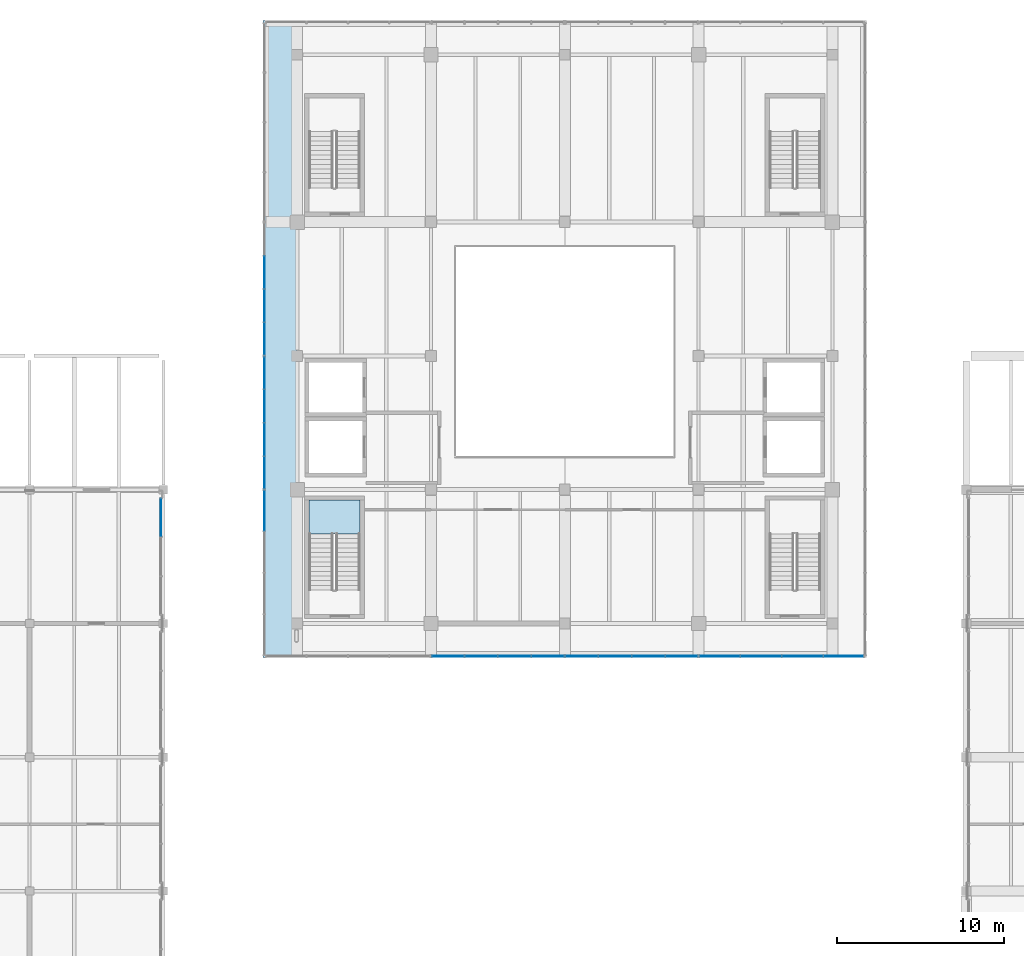
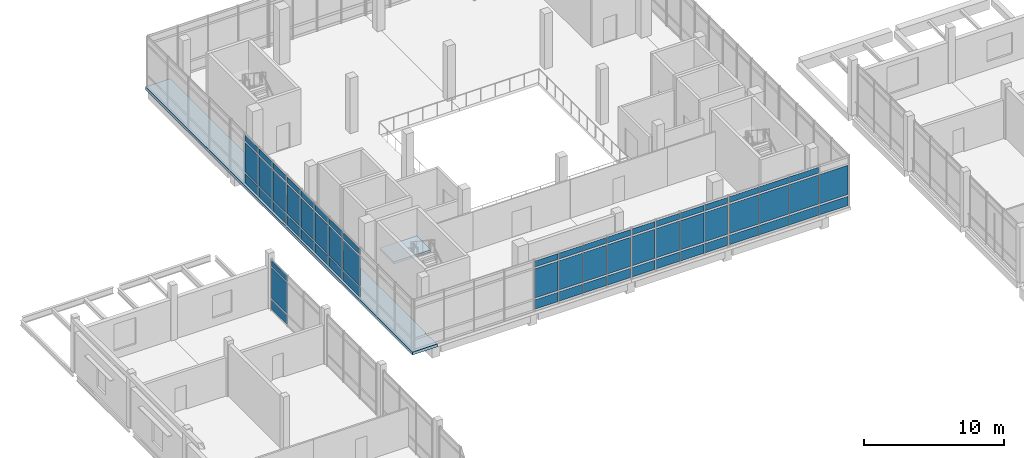
# One storey, part 16 of 28: 62 plates, 2 slabs, 8 elements without a shape of their own.
"""IFC4 building model written with IfcOpenShell, lengths in metres."""

from ifc_helpers import new_model, si_unit, direction, frame, origin, origin_2d, place, context, subcontext, project, spatial, polyline, rectangle, outline, extrude, material, layer, layer_set, type_object, element, aggregate, save


model = new_model("IFC4")

# Units and contexts
model_context = context("Model", 3, precision=1e-05, world=origin(), true_north=direction((0.0, 1.0)))
body_context = subcontext(model_context, "Body", "Model", "MODEL_VIEW")
ifc_project = project(units=[si_unit("LENGTHUNIT", "METRE"), si_unit("AREAUNIT", "SQUARE_METRE"), si_unit("VOLUMEUNIT", "CUBIC_METRE"), si_unit("PLANEANGLEUNIT", "RADIAN"), si_unit("MASSUNIT", "GRAM", prefix="KILO")], contexts=[model_context])

# Site, building, storey
site_placement = place(None, origin())
site = spatial("IfcSite", under=ifc_project, at=site_placement, CompositionType="ELEMENT")
building_placement = place(site_placement, origin())
building = spatial("IfcBuilding", under=site, at=building_placement, Name="Pecanmere Concourse Central Library", CompositionType="ELEMENT")
storey_placement = place(building_placement, frame((0.0, 0.0, 20.10009765625)))
storey = spatial("IfcBuildingStorey", under=building, at=storey_placement, Name="L05", CompositionType="ELEMENT", Elevation=20.10009765625)

# Curtain wall, plates
ifc_material_1 = material(Name="Anodized bronze aluminium alloy 6063-T6", Category="aluminium")
curtain_wall_type_1 = type_object("IfcCurtainWallType", Name="CW_PLUMB_BANDED", PredefinedType="USERDEFINED", material=ifc_material_1)
curtain_wall_1_placement = place(storey_placement, origin())
curtain_wall_1 = element("IfcCurtainWall", 1, at=curtain_wall_1_placement, inside=storey, type_object=curtain_wall_type_1, Name="Unitised Curtain Wall CW-02 L05-059", ObjectType="UNITISED CURTAIN WALL", PredefinedType="USERDEFINED")
ifc_material_2 = material(Name="White ceramic-fritted insulated spandrel glazing", Category="glass")
ifc_layer_1 = layer(ifc_material_2, 0.053955078125, Name="CWP_SPN_54")
ifc_layer_set_1 = layer_set([ifc_layer_1], Name="White ceramic-fritted insulated spandrel glazing")
plate_type_1 = type_object("IfcPlateType", Name="CWP_SPN_54", PredefinedType="CURTAIN_PANEL", material=ifc_layer_set_1)
plate_1_placement = place(storey_placement, frame((81.02001953125, 88.03857421875, 0.159912109375), z_axis=(0.0, 0.0, 1.0), x_axis=(1.0, 0.0, 0.0)))
plate_1 = element("IfcPlate", 2, at=plate_1_placement, type_object=plate_type_1, Name="CW-02 Spandrel Panel 1.1", PredefinedType="CURTAIN_PANEL", context=body_context, shape_type="SweptSolid", body=[
    extrude(rectangle(XDim=1.89990234375, YDim=0.035888671875, at=origin_2d()), origin(), (0.0, 0.0, 1.0), 0.81005859375),
])
plate_2_placement = place(storey_placement, frame((83.001220703125, 88.03857421875, 0.159912109375), z_axis=(0.0, 0.0, 1.0), x_axis=(1.0, 0.0, 0.0)))
plate_2 = element("IfcPlate", 3, at=plate_2_placement, type_object=plate_type_1, Name="CW-02 Spandrel Panel 2.1", PredefinedType="CURTAIN_PANEL", context=body_context, shape_type="SweptSolid", body=[
    extrude(rectangle(XDim=1.9326171875, YDim=0.035888671875, at=origin_2d()), origin(), (0.0, 0.0, 1.0), 0.81005859375),
])
plate_3_placement = place(storey_placement, frame((84.998779296875, 88.03857421875, 0.159912109375), z_axis=(0.0, 0.0, 1.0), x_axis=(1.0, 0.0, 0.0)))
plate_3 = element("IfcPlate", 4, at=plate_3_placement, type_object=plate_type_1, Name="CW-02 Spandrel Panel 3.1", PredefinedType="CURTAIN_PANEL", context=body_context, shape_type="SweptSolid", body=[
    extrude(rectangle(XDim=1.9326171875, YDim=0.035888671875, at=origin_2d()), origin(), (0.0, 0.0, 1.0), 0.81005859375),
])
plate_4_placement = place(storey_placement, frame((86.97998046875, 88.03857421875, 0.159912109375), z_axis=(0.0, 0.0, 1.0), x_axis=(1.0, 0.0, 0.0)))
plate_4 = element("IfcPlate", 5, at=plate_4_placement, type_object=plate_type_1, Name="CW-02 Spandrel Panel 4.1", PredefinedType="CURTAIN_PANEL", context=body_context, shape_type="SweptSolid", body=[
    extrude(rectangle(XDim=1.89990234375, YDim=0.035888671875, at=origin_2d()), origin(), (0.0, 0.0, 1.0), 0.81005859375),
])

curtain_wall_2_placement = place(storey_placement, origin())
curtain_wall_2 = element("IfcCurtainWall", 6, at=curtain_wall_2_placement, inside=storey, type_object=curtain_wall_type_1, Name="Unitised Curtain Wall CW-02 L05-060", ObjectType="UNITISED CURTAIN WALL", PredefinedType="USERDEFINED")
plate_5_placement = place(storey_placement, frame((89.02001953125, 88.03857421875, 0.159912109375), z_axis=(0.0, 0.0, 1.0), x_axis=(1.0, 0.0, 0.0)))
plate_5 = element("IfcPlate", 7, at=plate_5_placement, type_object=plate_type_1, Name="CW-02 Spandrel Panel 1.1", PredefinedType="CURTAIN_PANEL", context=body_context, shape_type="SweptSolid", body=[
    extrude(rectangle(XDim=1.89990234375, YDim=0.035888671875, at=origin_2d()), origin(), (0.0, 0.0, 1.0), 0.81005859375),
])
plate_6_placement = place(storey_placement, frame((91.001220703125, 88.03857421875, 0.159912109375), z_axis=(0.0, 0.0, 1.0), x_axis=(1.0, 0.0, 0.0)))
plate_6 = element("IfcPlate", 8, at=plate_6_placement, type_object=plate_type_1, Name="CW-02 Spandrel Panel 2.1", PredefinedType="CURTAIN_PANEL", context=body_context, shape_type="SweptSolid", body=[
    extrude(rectangle(XDim=1.9326171875, YDim=0.035888671875, at=origin_2d()), origin(), (0.0, 0.0, 1.0), 0.81005859375),
])
plate_7_placement = place(storey_placement, frame((92.998779296875, 88.03857421875, 0.159912109375), z_axis=(0.0, 0.0, 1.0), x_axis=(1.0, 0.0, 0.0)))
plate_7 = element("IfcPlate", 9, at=plate_7_placement, type_object=plate_type_1, Name="CW-02 Spandrel Panel 3.1", PredefinedType="CURTAIN_PANEL", context=body_context, shape_type="SweptSolid", body=[
    extrude(rectangle(XDim=1.9326171875, YDim=0.035888671875, at=origin_2d()), origin(), (0.0, 0.0, 1.0), 0.81005859375),
])
plate_8_placement = place(storey_placement, frame((94.97998046875, 88.03857421875, 0.159912109375), z_axis=(0.0, 0.0, 1.0), x_axis=(1.0, 0.0, 0.0)))
plate_8 = element("IfcPlate", 10, at=plate_8_placement, type_object=plate_type_1, Name="CW-02 Spandrel Panel 4.1", PredefinedType="CURTAIN_PANEL", context=body_context, shape_type="SweptSolid", body=[
    extrude(rectangle(XDim=1.89990234375, YDim=0.035888671875, at=origin_2d()), origin(), (0.0, 0.0, 1.0), 0.81005859375),
])

curtain_wall_3_placement = place(storey_placement, origin())
curtain_wall_3 = element("IfcCurtainWall", 11, at=curtain_wall_3_placement, inside=storey, type_object=curtain_wall_type_1, Name="Unitised Curtain Wall CW-02 L05-061", ObjectType="UNITISED CURTAIN WALL", PredefinedType="USERDEFINED")
plate_9_placement = place(storey_placement, frame((97.2607421875, 88.03857421875, 0.159912109375), z_axis=(0.0, 0.0, 1.0), x_axis=(1.0, 0.0, 0.0)))
plate_9 = element("IfcPlate", 12, at=plate_9_placement, type_object=plate_type_1, Name="CW-02 Spandrel Panel 1.1", PredefinedType="CURTAIN_PANEL", context=body_context, shape_type="SweptSolid", body=[
    extrude(rectangle(XDim=2.381591796875, YDim=0.035888671875, at=origin_2d()), origin(), (0.0, 0.0, 1.0), 0.81005859375),
])
plate_10_placement = place(storey_placement, frame((99.7236328125, 88.03857421875, 0.159912109375), z_axis=(0.0, 0.0, 1.0), x_axis=(1.0, 0.0, 0.0)))
plate_10 = element("IfcPlate", 13, at=plate_10_placement, type_object=plate_type_1, Name="CW-02 Spandrel Panel 2.1", PredefinedType="CURTAIN_PANEL", context=body_context, shape_type="SweptSolid", body=[
    extrude(rectangle(XDim=2.4140625, YDim=0.035888671875, at=origin_2d()), origin(), (0.0, 0.0, 1.0), 0.81005859375),
])
plate_11_placement = place(storey_placement, frame((102.202880859375, 88.03857421875, 0.159912109375), z_axis=(0.0, 0.0, 1.0), x_axis=(1.0, 0.0, 0.0)))
plate_11 = element("IfcPlate", 14, at=plate_11_placement, type_object=plate_type_1, Name="CW-02 Spandrel Panel 3.1", PredefinedType="CURTAIN_PANEL", context=body_context, shape_type="SweptSolid", body=[
    extrude(rectangle(XDim=2.4140625, YDim=0.035888671875, at=origin_2d()), origin(), (0.0, 0.0, 1.0), 0.81005859375),
])
plate_12_placement = place(storey_placement, frame((104.665771484375, 88.03857421875, 0.159912109375), z_axis=(0.0, 0.0, 1.0), x_axis=(1.0, 0.0, 0.0)))
plate_12 = element("IfcPlate", 15, at=plate_12_placement, type_object=plate_type_1, Name="CW-02 Spandrel Panel 4.1", PredefinedType="CURTAIN_PANEL", context=body_context, shape_type="SweptSolid", body=[
    extrude(rectangle(XDim=2.381591796875, YDim=0.035888671875, at=origin_2d()), origin(), (0.0, 0.0, 1.0), 0.81005859375),
])

curtain_wall_4_placement = place(storey_placement, origin())
curtain_wall_4 = element("IfcCurtainWall", 16, at=curtain_wall_4_placement, inside=storey, type_object=curtain_wall_type_1, Name="Unitised Curtain Wall CW-02 L05-067", ObjectType="UNITISED CURTAIN WALL", PredefinedType="USERDEFINED")
plate_13_placement = place(storey_placement, frame((70.03857421875, 110.998779296875, 0.159912109375), z_axis=(0.0, 0.0, 1.0), x_axis=(0.0, -1.0, 0.0)))
plate_13 = element("IfcPlate", 17, at=plate_13_placement, type_object=plate_type_1, Name="CW-02 Spandrel Panel 2.1", PredefinedType="CURTAIN_PANEL", context=body_context, shape_type="SweptSolid", body=[
    extrude(rectangle(XDim=1.9326171875, YDim=0.035888671875, at=origin_2d()), origin(), (0.0, 0.0, 1.0), 0.81005859375),
])
plate_14_placement = place(storey_placement, frame((70.03857421875, 109.001220703125, 0.159912109375), z_axis=(0.0, 0.0, 1.0), x_axis=(0.0, -1.0, 0.0)))
plate_14 = element("IfcPlate", 18, at=plate_14_placement, type_object=plate_type_1, Name="CW-02 Spandrel Panel 3.1", PredefinedType="CURTAIN_PANEL", context=body_context, shape_type="SweptSolid", body=[
    extrude(rectangle(XDim=1.9326171875, YDim=0.035888671875, at=origin_2d()), origin(), (0.0, 0.0, 1.0), 0.81005859375),
])
plate_15_placement = place(storey_placement, frame((70.03857421875, 107.02001953125, 0.159912109375), z_axis=(0.0, 0.0, 1.0), x_axis=(0.0, -1.0, 0.0)))
plate_15 = element("IfcPlate", 19, at=plate_15_placement, type_object=plate_type_1, Name="CW-02 Spandrel Panel 4.1", PredefinedType="CURTAIN_PANEL", context=body_context, shape_type="SweptSolid", body=[
    extrude(rectangle(XDim=1.89990234375, YDim=0.035888671875, at=origin_2d()), origin(), (0.0, 0.0, 1.0), 0.81005859375),
])

curtain_wall_5_placement = place(storey_placement, origin())
curtain_wall_5 = element("IfcCurtainWall", 20, at=curtain_wall_5_placement, inside=storey, type_object=curtain_wall_type_1, Name="Unitised Curtain Wall CW-02 L05-068", ObjectType="UNITISED CURTAIN WALL", PredefinedType="USERDEFINED")
plate_16_placement = place(storey_placement, frame((70.03857421875, 104.97998046875, 0.159912109375), z_axis=(0.0, 0.0, 1.0), x_axis=(0.0, -1.0, 0.0)))
plate_16 = element("IfcPlate", 21, at=plate_16_placement, type_object=plate_type_1, Name="CW-02 Spandrel Panel 1.1", PredefinedType="CURTAIN_PANEL", context=body_context, shape_type="SweptSolid", body=[
    extrude(rectangle(XDim=1.89990234375, YDim=0.035888671875, at=origin_2d()), origin(), (0.0, 0.0, 1.0), 0.81005859375),
])
plate_17_placement = place(storey_placement, frame((70.03857421875, 102.998779296875, 0.159912109375), z_axis=(0.0, 0.0, 1.0), x_axis=(0.0, -1.0, 0.0)))
plate_17 = element("IfcPlate", 22, at=plate_17_placement, type_object=plate_type_1, Name="CW-02 Spandrel Panel 2.1", PredefinedType="CURTAIN_PANEL", context=body_context, shape_type="SweptSolid", body=[
    extrude(rectangle(XDim=1.9326171875, YDim=0.035888671875, at=origin_2d()), origin(), (0.0, 0.0, 1.0), 0.81005859375),
])
plate_18_placement = place(storey_placement, frame((70.03857421875, 101.001220703125, 0.159912109375), z_axis=(0.0, 0.0, 1.0), x_axis=(0.0, -1.0, 0.0)))
plate_18 = element("IfcPlate", 23, at=plate_18_placement, type_object=plate_type_1, Name="CW-02 Spandrel Panel 3.1", PredefinedType="CURTAIN_PANEL", context=body_context, shape_type="SweptSolid", body=[
    extrude(rectangle(XDim=1.9326171875, YDim=0.035888671875, at=origin_2d()), origin(), (0.0, 0.0, 1.0), 0.81005859375),
])
plate_19_placement = place(storey_placement, frame((70.03857421875, 99.02001953125, 0.159912109375), z_axis=(0.0, 0.0, 1.0), x_axis=(0.0, -1.0, 0.0)))
plate_19 = element("IfcPlate", 24, at=plate_19_placement, type_object=plate_type_1, Name="CW-02 Spandrel Panel 4.1", PredefinedType="CURTAIN_PANEL", context=body_context, shape_type="SweptSolid", body=[
    extrude(rectangle(XDim=1.89990234375, YDim=0.035888671875, at=origin_2d()), origin(), (0.0, 0.0, 1.0), 0.81005859375),
])

# Curtain wall, plate
curtain_wall_6_placement = place(storey_placement, origin())
curtain_wall_6 = element("IfcCurtainWall", 25, at=curtain_wall_6_placement, inside=storey, type_object=curtain_wall_type_1, Name="Unitised Curtain Wall CW-02 L05-069", ObjectType="UNITISED CURTAIN WALL", PredefinedType="USERDEFINED")
plate_20_placement = place(storey_placement, frame((70.03857421875, 96.7392578125, 0.159912109375), z_axis=(0.0, 0.0, 1.0), x_axis=(0.0, -1.0, 0.0)))
plate_20 = element("IfcPlate", 26, at=plate_20_placement, type_object=plate_type_1, Name="CW-02 Spandrel Panel 1.1", PredefinedType="CURTAIN_PANEL", context=body_context, shape_type="SweptSolid", body=[
    extrude(rectangle(XDim=2.381591796875, YDim=0.035888671875, at=origin_2d()), origin(), (0.0, 0.0, 1.0), 0.81005859375),
])

ifc_material_3 = material(Name="Clear anodized aluminium alloy 6063-T6", Category="aluminium")
curtain_wall_type_2 = type_object("IfcCurtainWallType", Name="CW_CLOISTER_GLAZ", PredefinedType="USERDEFINED", material=ifc_material_3)
curtain_wall_7_placement = place(storey_placement, origin())
curtain_wall_7 = element("IfcCurtainWall", 27, at=curtain_wall_7_placement, inside=storey, type_object=curtain_wall_type_2, Name="Unitised Curtain Wall CW-04 L05-162", ObjectType="UNITISED CURTAIN WALL", PredefinedType="USERDEFINED")
plate_21_placement = place(storey_placement, frame((63.85009765625, 96.331787109375, 0.139892578125), z_axis=(0.0, 0.0, 1.0), x_axis=(0.0, 1.0, 0.0)))
plate_21 = element("IfcPlate", 28, at=plate_21_placement, type_object=plate_type_1, Name="CW-04 Spandrel Panel 3.1", PredefinedType="CURTAIN_PANEL", context=body_context, shape_type="SweptSolid", body=[
    extrude(rectangle(XDim=2.256591796875, YDim=0.035888671875, at=origin_2d()), origin(), (0.0, 0.0, 1.0), 0.7900390625),
])

# Plate
ifc_material_4 = material(Name="Low-iron clear insulated glazing", Category="glass")
ifc_layer_2 = layer(ifc_material_4, 0.035888671875, Name="CWP_VIS_36")
ifc_layer_set_2 = layer_set([ifc_layer_2], Name="Low-iron clear insulated glazing")
plate_type_2 = type_object("IfcPlateType", Name="CWP_VIS_36", PredefinedType="CURTAIN_PANEL", material=ifc_layer_set_2)
plate_22_placement = place(storey_placement, frame((81.02001953125, 88.03857421875, 1.1298828125), z_axis=(0.0, 0.0, 1.0), x_axis=(1.0, 0.0, 0.0)))
plate_22 = element("IfcPlate", 29, at=plate_22_placement, type_object=plate_type_2, Name="CW-02 Vision Panel 1.2", PredefinedType="CURTAIN_PANEL", context=body_context, shape_type="SweptSolid", body=[
    extrude(rectangle(XDim=1.89990234375, YDim=0.035888671875, at=origin_2d()), origin(), (0.0, 0.0, 1.0), 2.5400390625),
])

plate_23_placement = place(storey_placement, frame((81.02001953125, 88.03857421875, 3.830078125), z_axis=(0.0, 0.0, 1.0), x_axis=(1.0, 0.0, 0.0)))
plate_23 = element("IfcPlate", 30, at=plate_23_placement, type_object=plate_type_2, Name="CW-02 Vision Panel 1.3", PredefinedType="CURTAIN_PANEL", context=body_context, shape_type="SweptSolid", body=[
    extrude(rectangle(XDim=1.89990234375, YDim=0.035888671875, at=origin_2d()), origin(), (0.0, 0.0, 1.0), 0.510009765625),
])

plate_24_placement = place(storey_placement, frame((83.001220703125, 88.03857421875, 1.1298828125), z_axis=(0.0, 0.0, 1.0), x_axis=(1.0, 0.0, 0.0)))
plate_24 = element("IfcPlate", 31, at=plate_24_placement, type_object=plate_type_2, Name="CW-02 Vision Panel 2.2", PredefinedType="CURTAIN_PANEL", context=body_context, shape_type="SweptSolid", body=[
    extrude(rectangle(XDim=1.9326171875, YDim=0.035888671875, at=origin_2d()), origin(), (0.0, 0.0, 1.0), 2.5400390625),
])

plate_25_placement = place(storey_placement, frame((83.001220703125, 88.03857421875, 3.830078125), z_axis=(0.0, 0.0, 1.0), x_axis=(1.0, 0.0, 0.0)))
plate_25 = element("IfcPlate", 32, at=plate_25_placement, type_object=plate_type_2, Name="CW-02 Vision Panel 2.3", PredefinedType="CURTAIN_PANEL", context=body_context, shape_type="SweptSolid", body=[
    extrude(rectangle(XDim=1.9326171875, YDim=0.035888671875, at=origin_2d()), origin(), (0.0, 0.0, 1.0), 0.510009765625),
])

plate_26_placement = place(storey_placement, frame((84.998779296875, 88.03857421875, 1.1298828125), z_axis=(0.0, 0.0, 1.0), x_axis=(1.0, 0.0, 0.0)))
plate_26 = element("IfcPlate", 33, at=plate_26_placement, type_object=plate_type_2, Name="CW-02 Vision Panel 3.2", PredefinedType="CURTAIN_PANEL", context=body_context, shape_type="SweptSolid", body=[
    extrude(rectangle(XDim=1.9326171875, YDim=0.035888671875, at=origin_2d()), origin(), (0.0, 0.0, 1.0), 2.5400390625),
])

plate_27_placement = place(storey_placement, frame((84.998779296875, 88.03857421875, 3.830078125), z_axis=(0.0, 0.0, 1.0), x_axis=(1.0, 0.0, 0.0)))
plate_27 = element("IfcPlate", 34, at=plate_27_placement, type_object=plate_type_2, Name="CW-02 Vision Panel 3.3", PredefinedType="CURTAIN_PANEL", context=body_context, shape_type="SweptSolid", body=[
    extrude(rectangle(XDim=1.9326171875, YDim=0.035888671875, at=origin_2d()), origin(), (0.0, 0.0, 1.0), 0.510009765625),
])

plate_28_placement = place(storey_placement, frame((86.97998046875, 88.03857421875, 1.1298828125), z_axis=(0.0, 0.0, 1.0), x_axis=(1.0, 0.0, 0.0)))
plate_28 = element("IfcPlate", 35, at=plate_28_placement, type_object=plate_type_2, Name="CW-02 Vision Panel 4.2", PredefinedType="CURTAIN_PANEL", context=body_context, shape_type="SweptSolid", body=[
    extrude(rectangle(XDim=1.89990234375, YDim=0.035888671875, at=origin_2d()), origin(), (0.0, 0.0, 1.0), 2.5400390625),
])

plate_29_placement = place(storey_placement, frame((86.97998046875, 88.03857421875, 3.830078125), z_axis=(0.0, 0.0, 1.0), x_axis=(1.0, 0.0, 0.0)))
plate_29 = element("IfcPlate", 36, at=plate_29_placement, type_object=plate_type_2, Name="CW-02 Vision Panel 4.3", PredefinedType="CURTAIN_PANEL", context=body_context, shape_type="SweptSolid", body=[
    extrude(rectangle(XDim=1.89990234375, YDim=0.035888671875, at=origin_2d()), origin(), (0.0, 0.0, 1.0), 0.510009765625),
])

aggregate(curtain_wall_1, [plate_1, plate_22, plate_23, plate_2, plate_24, plate_25, plate_3, plate_26, plate_27, plate_4, plate_28, plate_29])

plate_30_placement = place(storey_placement, frame((89.02001953125, 88.03857421875, 1.1298828125), z_axis=(0.0, 0.0, 1.0), x_axis=(1.0, 0.0, 0.0)))
plate_30 = element("IfcPlate", 37, at=plate_30_placement, type_object=plate_type_2, Name="CW-02 Vision Panel 1.2", PredefinedType="CURTAIN_PANEL", context=body_context, shape_type="SweptSolid", body=[
    extrude(rectangle(XDim=1.89990234375, YDim=0.035888671875, at=origin_2d()), origin(), (0.0, 0.0, 1.0), 2.5400390625),
])

plate_31_placement = place(storey_placement, frame((89.02001953125, 88.03857421875, 3.830078125), z_axis=(0.0, 0.0, 1.0), x_axis=(1.0, 0.0, 0.0)))
plate_31 = element("IfcPlate", 38, at=plate_31_placement, type_object=plate_type_2, Name="CW-02 Vision Panel 1.3", PredefinedType="CURTAIN_PANEL", context=body_context, shape_type="SweptSolid", body=[
    extrude(rectangle(XDim=1.89990234375, YDim=0.035888671875, at=origin_2d()), origin(), (0.0, 0.0, 1.0), 0.510009765625),
])

plate_32_placement = place(storey_placement, frame((91.001220703125, 88.03857421875, 1.1298828125), z_axis=(0.0, 0.0, 1.0), x_axis=(1.0, 0.0, 0.0)))
plate_32 = element("IfcPlate", 39, at=plate_32_placement, type_object=plate_type_2, Name="CW-02 Vision Panel 2.2", PredefinedType="CURTAIN_PANEL", context=body_context, shape_type="SweptSolid", body=[
    extrude(rectangle(XDim=1.9326171875, YDim=0.035888671875, at=origin_2d()), origin(), (0.0, 0.0, 1.0), 2.5400390625),
])

plate_33_placement = place(storey_placement, frame((91.001220703125, 88.03857421875, 3.830078125), z_axis=(0.0, 0.0, 1.0), x_axis=(1.0, 0.0, 0.0)))
plate_33 = element("IfcPlate", 40, at=plate_33_placement, type_object=plate_type_2, Name="CW-02 Vision Panel 2.3", PredefinedType="CURTAIN_PANEL", context=body_context, shape_type="SweptSolid", body=[
    extrude(rectangle(XDim=1.9326171875, YDim=0.035888671875, at=origin_2d()), origin(), (0.0, 0.0, 1.0), 0.510009765625),
])

plate_34_placement = place(storey_placement, frame((92.998779296875, 88.03857421875, 1.1298828125), z_axis=(0.0, 0.0, 1.0), x_axis=(1.0, 0.0, 0.0)))
plate_34 = element("IfcPlate", 41, at=plate_34_placement, type_object=plate_type_2, Name="CW-02 Vision Panel 3.2", PredefinedType="CURTAIN_PANEL", context=body_context, shape_type="SweptSolid", body=[
    extrude(rectangle(XDim=1.9326171875, YDim=0.035888671875, at=origin_2d()), origin(), (0.0, 0.0, 1.0), 2.5400390625),
])

plate_35_placement = place(storey_placement, frame((92.998779296875, 88.03857421875, 3.830078125), z_axis=(0.0, 0.0, 1.0), x_axis=(1.0, 0.0, 0.0)))
plate_35 = element("IfcPlate", 42, at=plate_35_placement, type_object=plate_type_2, Name="CW-02 Vision Panel 3.3", PredefinedType="CURTAIN_PANEL", context=body_context, shape_type="SweptSolid", body=[
    extrude(rectangle(XDim=1.9326171875, YDim=0.035888671875, at=origin_2d()), origin(), (0.0, 0.0, 1.0), 0.510009765625),
])

plate_36_placement = place(storey_placement, frame((94.97998046875, 88.03857421875, 1.1298828125), z_axis=(0.0, 0.0, 1.0), x_axis=(1.0, 0.0, 0.0)))
plate_36 = element("IfcPlate", 43, at=plate_36_placement, type_object=plate_type_2, Name="CW-02 Vision Panel 4.2", PredefinedType="CURTAIN_PANEL", context=body_context, shape_type="SweptSolid", body=[
    extrude(rectangle(XDim=1.89990234375, YDim=0.035888671875, at=origin_2d()), origin(), (0.0, 0.0, 1.0), 2.5400390625),
])

plate_37_placement = place(storey_placement, frame((94.97998046875, 88.03857421875, 3.830078125), z_axis=(0.0, 0.0, 1.0), x_axis=(1.0, 0.0, 0.0)))
plate_37 = element("IfcPlate", 44, at=plate_37_placement, type_object=plate_type_2, Name="CW-02 Vision Panel 4.3", PredefinedType="CURTAIN_PANEL", context=body_context, shape_type="SweptSolid", body=[
    extrude(rectangle(XDim=1.89990234375, YDim=0.035888671875, at=origin_2d()), origin(), (0.0, 0.0, 1.0), 0.510009765625),
])

aggregate(curtain_wall_2, [plate_5, plate_30, plate_31, plate_6, plate_32, plate_33, plate_7, plate_34, plate_35, plate_8, plate_36, plate_37])

plate_38_placement = place(storey_placement, frame((97.2607421875, 88.03857421875, 1.1298828125), z_axis=(0.0, 0.0, 1.0), x_axis=(1.0, 0.0, 0.0)))
plate_38 = element("IfcPlate", 45, at=plate_38_placement, type_object=plate_type_2, Name="CW-02 Vision Panel 1.2", PredefinedType="CURTAIN_PANEL", context=body_context, shape_type="SweptSolid", body=[
    extrude(rectangle(XDim=2.381591796875, YDim=0.035888671875, at=origin_2d()), origin(), (0.0, 0.0, 1.0), 2.5400390625),
])

plate_39_placement = place(storey_placement, frame((97.2607421875, 88.03857421875, 3.830078125), z_axis=(0.0, 0.0, 1.0), x_axis=(1.0, 0.0, 0.0)))
plate_39 = element("IfcPlate", 46, at=plate_39_placement, type_object=plate_type_2, Name="CW-02 Vision Panel 1.3", PredefinedType="CURTAIN_PANEL", context=body_context, shape_type="SweptSolid", body=[
    extrude(rectangle(XDim=2.381591796875, YDim=0.035888671875, at=origin_2d()), origin(), (0.0, 0.0, 1.0), 0.510009765625),
])

plate_40_placement = place(storey_placement, frame((99.7236328125, 88.03857421875, 1.1298828125), z_axis=(0.0, 0.0, 1.0), x_axis=(1.0, 0.0, 0.0)))
plate_40 = element("IfcPlate", 47, at=plate_40_placement, type_object=plate_type_2, Name="CW-02 Vision Panel 2.2", PredefinedType="CURTAIN_PANEL", context=body_context, shape_type="SweptSolid", body=[
    extrude(rectangle(XDim=2.4140625, YDim=0.035888671875, at=origin_2d()), origin(), (0.0, 0.0, 1.0), 2.5400390625),
])

plate_41_placement = place(storey_placement, frame((99.7236328125, 88.03857421875, 3.830078125), z_axis=(0.0, 0.0, 1.0), x_axis=(1.0, 0.0, 0.0)))
plate_41 = element("IfcPlate", 48, at=plate_41_placement, type_object=plate_type_2, Name="CW-02 Vision Panel 2.3", PredefinedType="CURTAIN_PANEL", context=body_context, shape_type="SweptSolid", body=[
    extrude(rectangle(XDim=2.4140625, YDim=0.035888671875, at=origin_2d()), origin(), (0.0, 0.0, 1.0), 0.510009765625),
])

plate_42_placement = place(storey_placement, frame((102.202880859375, 88.03857421875, 1.1298828125), z_axis=(0.0, 0.0, 1.0), x_axis=(1.0, 0.0, 0.0)))
plate_42 = element("IfcPlate", 49, at=plate_42_placement, type_object=plate_type_2, Name="CW-02 Vision Panel 3.2", PredefinedType="CURTAIN_PANEL", context=body_context, shape_type="SweptSolid", body=[
    extrude(rectangle(XDim=2.4140625, YDim=0.035888671875, at=origin_2d()), origin(), (0.0, 0.0, 1.0), 2.5400390625),
])

plate_43_placement = place(storey_placement, frame((102.202880859375, 88.03857421875, 3.830078125), z_axis=(0.0, 0.0, 1.0), x_axis=(1.0, 0.0, 0.0)))
plate_43 = element("IfcPlate", 50, at=plate_43_placement, type_object=plate_type_2, Name="CW-02 Vision Panel 3.3", PredefinedType="CURTAIN_PANEL", context=body_context, shape_type="SweptSolid", body=[
    extrude(rectangle(XDim=2.4140625, YDim=0.035888671875, at=origin_2d()), origin(), (0.0, 0.0, 1.0), 0.510009765625),
])

plate_44_placement = place(storey_placement, frame((104.665771484375, 88.03857421875, 1.1298828125), z_axis=(0.0, 0.0, 1.0), x_axis=(1.0, 0.0, 0.0)))
plate_44 = element("IfcPlate", 51, at=plate_44_placement, type_object=plate_type_2, Name="CW-02 Vision Panel 4.2", PredefinedType="CURTAIN_PANEL", context=body_context, shape_type="SweptSolid", body=[
    extrude(rectangle(XDim=2.381591796875, YDim=0.035888671875, at=origin_2d()), origin(), (0.0, 0.0, 1.0), 2.5400390625),
])

aggregate(curtain_wall_3, [plate_9, plate_38, plate_39, plate_10, plate_40, plate_41, plate_11, plate_42, plate_43, plate_12, plate_44])

plate_45_placement = place(storey_placement, frame((70.03857421875, 110.998779296875, 1.1298828125), z_axis=(0.0, 0.0, 1.0), x_axis=(0.0, -1.0, 0.0)))
plate_45 = element("IfcPlate", 52, at=plate_45_placement, type_object=plate_type_2, Name="CW-02 Vision Panel 2.2", PredefinedType="CURTAIN_PANEL", context=body_context, shape_type="SweptSolid", body=[
    extrude(rectangle(XDim=1.9326171875, YDim=0.035888671875, at=origin_2d()), origin(), (0.0, 0.0, 1.0), 2.5400390625),
])

plate_46_placement = place(storey_placement, frame((70.03857421875, 110.998779296875, 3.830078125), z_axis=(0.0, 0.0, 1.0), x_axis=(0.0, -1.0, 0.0)))
plate_46 = element("IfcPlate", 53, at=plate_46_placement, type_object=plate_type_2, Name="CW-02 Vision Panel 2.3", PredefinedType="CURTAIN_PANEL", context=body_context, shape_type="SweptSolid", body=[
    extrude(rectangle(XDim=1.9326171875, YDim=0.035888671875, at=origin_2d()), origin(), (0.0, 0.0, 1.0), 0.510009765625),
])

plate_47_placement = place(storey_placement, frame((70.03857421875, 109.001220703125, 1.1298828125), z_axis=(0.0, 0.0, 1.0), x_axis=(0.0, -1.0, 0.0)))
plate_47 = element("IfcPlate", 54, at=plate_47_placement, type_object=plate_type_2, Name="CW-02 Vision Panel 3.2", PredefinedType="CURTAIN_PANEL", context=body_context, shape_type="SweptSolid", body=[
    extrude(rectangle(XDim=1.9326171875, YDim=0.035888671875, at=origin_2d()), origin(), (0.0, 0.0, 1.0), 2.5400390625),
])

plate_48_placement = place(storey_placement, frame((70.03857421875, 109.001220703125, 3.830078125), z_axis=(0.0, 0.0, 1.0), x_axis=(0.0, -1.0, 0.0)))
plate_48 = element("IfcPlate", 55, at=plate_48_placement, type_object=plate_type_2, Name="CW-02 Vision Panel 3.3", PredefinedType="CURTAIN_PANEL", context=body_context, shape_type="SweptSolid", body=[
    extrude(rectangle(XDim=1.9326171875, YDim=0.035888671875, at=origin_2d()), origin(), (0.0, 0.0, 1.0), 0.510009765625),
])

plate_49_placement = place(storey_placement, frame((70.03857421875, 107.02001953125, 1.1298828125), z_axis=(0.0, 0.0, 1.0), x_axis=(0.0, -1.0, 0.0)))
plate_49 = element("IfcPlate", 56, at=plate_49_placement, type_object=plate_type_2, Name="CW-02 Vision Panel 4.2", PredefinedType="CURTAIN_PANEL", context=body_context, shape_type="SweptSolid", body=[
    extrude(rectangle(XDim=1.89990234375, YDim=0.035888671875, at=origin_2d()), origin(), (0.0, 0.0, 1.0), 2.5400390625),
])

plate_50_placement = place(storey_placement, frame((70.03857421875, 107.02001953125, 3.830078125), z_axis=(0.0, 0.0, 1.0), x_axis=(0.0, -1.0, 0.0)))
plate_50 = element("IfcPlate", 57, at=plate_50_placement, type_object=plate_type_2, Name="CW-02 Vision Panel 4.3", PredefinedType="CURTAIN_PANEL", context=body_context, shape_type="SweptSolid", body=[
    extrude(rectangle(XDim=1.89990234375, YDim=0.035888671875, at=origin_2d()), origin(), (0.0, 0.0, 1.0), 0.510009765625),
])

aggregate(curtain_wall_4, [plate_13, plate_45, plate_46, plate_14, plate_47, plate_48, plate_15, plate_49, plate_50])

plate_51_placement = place(storey_placement, frame((70.03857421875, 104.97998046875, 1.1298828125), z_axis=(0.0, 0.0, 1.0), x_axis=(0.0, -1.0, 0.0)))
plate_51 = element("IfcPlate", 58, at=plate_51_placement, type_object=plate_type_2, Name="CW-02 Vision Panel 1.2", PredefinedType="CURTAIN_PANEL", context=body_context, shape_type="SweptSolid", body=[
    extrude(rectangle(XDim=1.89990234375, YDim=0.035888671875, at=origin_2d()), origin(), (0.0, 0.0, 1.0), 2.5400390625),
])

plate_52_placement = place(storey_placement, frame((70.03857421875, 104.97998046875, 3.830078125), z_axis=(0.0, 0.0, 1.0), x_axis=(0.0, -1.0, 0.0)))
plate_52 = element("IfcPlate", 59, at=plate_52_placement, type_object=plate_type_2, Name="CW-02 Vision Panel 1.3", PredefinedType="CURTAIN_PANEL", context=body_context, shape_type="SweptSolid", body=[
    extrude(rectangle(XDim=1.89990234375, YDim=0.035888671875, at=origin_2d()), origin(), (0.0, 0.0, 1.0), 0.510009765625),
])

plate_53_placement = place(storey_placement, frame((70.03857421875, 102.998779296875, 1.1298828125), z_axis=(0.0, 0.0, 1.0), x_axis=(0.0, -1.0, 0.0)))
plate_53 = element("IfcPlate", 60, at=plate_53_placement, type_object=plate_type_2, Name="CW-02 Vision Panel 2.2", PredefinedType="CURTAIN_PANEL", context=body_context, shape_type="SweptSolid", body=[
    extrude(rectangle(XDim=1.9326171875, YDim=0.035888671875, at=origin_2d()), origin(), (0.0, 0.0, 1.0), 2.5400390625),
])

plate_54_placement = place(storey_placement, frame((70.03857421875, 102.998779296875, 3.830078125), z_axis=(0.0, 0.0, 1.0), x_axis=(0.0, -1.0, 0.0)))
plate_54 = element("IfcPlate", 61, at=plate_54_placement, type_object=plate_type_2, Name="CW-02 Vision Panel 2.3", PredefinedType="CURTAIN_PANEL", context=body_context, shape_type="SweptSolid", body=[
    extrude(rectangle(XDim=1.9326171875, YDim=0.035888671875, at=origin_2d()), origin(), (0.0, 0.0, 1.0), 0.510009765625),
])

plate_55_placement = place(storey_placement, frame((70.03857421875, 101.001220703125, 1.1298828125), z_axis=(0.0, 0.0, 1.0), x_axis=(0.0, -1.0, 0.0)))
plate_55 = element("IfcPlate", 62, at=plate_55_placement, type_object=plate_type_2, Name="CW-02 Vision Panel 3.2", PredefinedType="CURTAIN_PANEL", context=body_context, shape_type="SweptSolid", body=[
    extrude(rectangle(XDim=1.9326171875, YDim=0.035888671875, at=origin_2d()), origin(), (0.0, 0.0, 1.0), 2.5400390625),
])

plate_56_placement = place(storey_placement, frame((70.03857421875, 101.001220703125, 3.830078125), z_axis=(0.0, 0.0, 1.0), x_axis=(0.0, -1.0, 0.0)))
plate_56 = element("IfcPlate", 63, at=plate_56_placement, type_object=plate_type_2, Name="CW-02 Vision Panel 3.3", PredefinedType="CURTAIN_PANEL", context=body_context, shape_type="SweptSolid", body=[
    extrude(rectangle(XDim=1.9326171875, YDim=0.035888671875, at=origin_2d()), origin(), (0.0, 0.0, 1.0), 0.510009765625),
])

plate_57_placement = place(storey_placement, frame((70.03857421875, 99.02001953125, 1.1298828125), z_axis=(0.0, 0.0, 1.0), x_axis=(0.0, -1.0, 0.0)))
plate_57 = element("IfcPlate", 64, at=plate_57_placement, type_object=plate_type_2, Name="CW-02 Vision Panel 4.2", PredefinedType="CURTAIN_PANEL", context=body_context, shape_type="SweptSolid", body=[
    extrude(rectangle(XDim=1.89990234375, YDim=0.035888671875, at=origin_2d()), origin(), (0.0, 0.0, 1.0), 2.5400390625),
])

plate_58_placement = place(storey_placement, frame((70.03857421875, 99.02001953125, 3.830078125), z_axis=(0.0, 0.0, 1.0), x_axis=(0.0, -1.0, 0.0)))
plate_58 = element("IfcPlate", 65, at=plate_58_placement, type_object=plate_type_2, Name="CW-02 Vision Panel 4.3", PredefinedType="CURTAIN_PANEL", context=body_context, shape_type="SweptSolid", body=[
    extrude(rectangle(XDim=1.89990234375, YDim=0.035888671875, at=origin_2d()), origin(), (0.0, 0.0, 1.0), 0.510009765625),
])

aggregate(curtain_wall_5, [plate_16, plate_51, plate_52, plate_17, plate_53, plate_54, plate_18, plate_55, plate_56, plate_19, plate_57, plate_58])

plate_59_placement = place(storey_placement, frame((70.03857421875, 96.7392578125, 1.1298828125), z_axis=(0.0, 0.0, 1.0), x_axis=(0.0, -1.0, 0.0)))
plate_59 = element("IfcPlate", 66, at=plate_59_placement, type_object=plate_type_2, Name="CW-02 Vision Panel 1.2", PredefinedType="CURTAIN_PANEL", context=body_context, shape_type="SweptSolid", body=[
    extrude(rectangle(XDim=2.381591796875, YDim=0.035888671875, at=origin_2d()), origin(), (0.0, 0.0, 1.0), 2.5400390625),
])

plate_60_placement = place(storey_placement, frame((70.03857421875, 96.7392578125, 3.830078125), z_axis=(0.0, 0.0, 1.0), x_axis=(0.0, -1.0, 0.0)))
plate_60 = element("IfcPlate", 67, at=plate_60_placement, type_object=plate_type_2, Name="CW-02 Vision Panel 1.3", PredefinedType="CURTAIN_PANEL", context=body_context, shape_type="SweptSolid", body=[
    extrude(rectangle(XDim=2.381591796875, YDim=0.035888671875, at=origin_2d()), origin(), (0.0, 0.0, 1.0), 0.510009765625),
])

aggregate(curtain_wall_6, [plate_20, plate_59, plate_60])

plate_61_placement = place(storey_placement, frame((63.85009765625, 96.331787109375, 1.06982421875), z_axis=(0.0, 0.0, 1.0), x_axis=(0.0, 1.0, 0.0)))
plate_61 = element("IfcPlate", 68, at=plate_61_placement, type_object=plate_type_2, Name="CW-04 Vision Panel 3.2", PredefinedType="CURTAIN_PANEL", context=body_context, shape_type="SweptSolid", body=[
    extrude(rectangle(XDim=2.256591796875, YDim=0.035888671875, at=origin_2d()), origin(), (0.0, 0.0, 1.0), 2.659912109375),
])

plate_62_placement = place(storey_placement, frame((63.85009765625, 96.331787109375, 3.8701171875), z_axis=(0.0, 0.0, 1.0), x_axis=(0.0, 1.0, 0.0)))
plate_62 = element("IfcPlate", 69, at=plate_62_placement, type_object=plate_type_2, Name="CW-04 Vision Panel 3.3", PredefinedType="CURTAIN_PANEL", context=body_context, shape_type="SweptSolid", body=[
    extrude(rectangle(XDim=2.256591796875, YDim=0.035888671875, at=origin_2d()), origin(), (0.0, 0.0, 1.0), 0.489990234375),
])

aggregate(curtain_wall_7, [plate_21, plate_61, plate_62])

# Stair, slab
ifc_material_5 = material(Name="Concrete C35/45", Category="concrete")
stair_type = type_object("IfcStairType", Name="STAIR_TYPE_ST-01-1846", PredefinedType="USERDEFINED", material=ifc_material_5)
stair_placement = place(storey_placement, origin())
stair = element("IfcStair", 70, at=stair_placement, inside=storey, type_object=stair_type, Name="L05 Protected Stair ST-01", ObjectType="TWO_RETURN_STAIR", PredefinedType="USERDEFINED")
ifc_material_6 = material(Name="Concrete C35/45", Category="concrete")
ifc_layer_3 = layer(ifc_material_6, 0.199951171875, Name="SLAB_LANDING_200")
ifc_layer_set_3 = layer_set([ifc_layer_3], Name="Concrete C35/45")
slab_type_1 = type_object("IfcSlabType", Name="SLAB_LANDING_200", PredefinedType="LANDING", material=ifc_layer_set_3)
slab_1_placement = place(storey_placement, frame((0.0, 0.0, 2.199951171875)))
slab_1 = element("IfcSlab", 71, at=slab_1_placement, type_object=slab_type_1, Name="ST-01-1846 landing 1", PredefinedType="LANDING", context=body_context, shape_type="SweptSolid", body=[
    extrude(outline(polyline([(75.760009765625, 95.360107421875), (75.760009765625, 97.3701171875), (72.699951171875, 97.3701171875), (72.699951171875, 95.360107421875), (75.760009765625, 95.360107421875)])), origin(), (0.0, 0.0, 1.0), 0.199951171875),
])
aggregate(stair, [slab_1])

# Slab
ifc_material_7 = material(Name="Concrete C35/45", Category="concrete")
ifc_layer_4 = layer(ifc_material_7, 0.25, Name="SLAB_READ_250")
ifc_layer_set_4 = layer_set([ifc_layer_4], Name="Concrete C35/45")
slab_type_2 = type_object("IfcSlabType", Name="SLAB_READ_250", PredefinedType="FLOOR", material=ifc_layer_set_4)
slab_2_placement = place(storey_placement, frame((0.0, 0.0, -0.25)))
element("IfcSlab", 72, at=slab_2_placement, inside=storey, type_object=slab_type_2, Name="Floor Slab V1 L05-132", PredefinedType="FLOOR", context=body_context, shape_type="SweptSolid", body=[
    extrude(outline(polyline([(72.0, 89.55859375), (71.919921875, 89.55859375), (71.919921875, 88.95849609375), (72.0, 88.95849609375), (72.0, 87.95849609375), (69.95849609375, 87.95849609375), (69.95849609375, 126.04150390625), (72.0, 126.04150390625), (72.0, 89.55859375)])), origin(), (0.0, 0.0, 1.0), 0.25),
])

save(model, "model.ifc")
